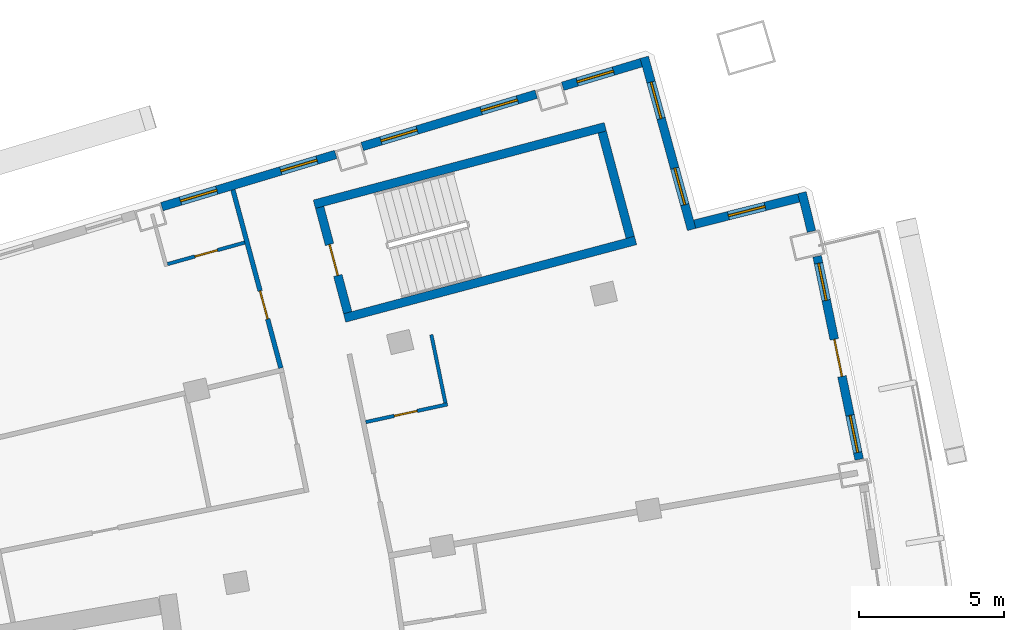
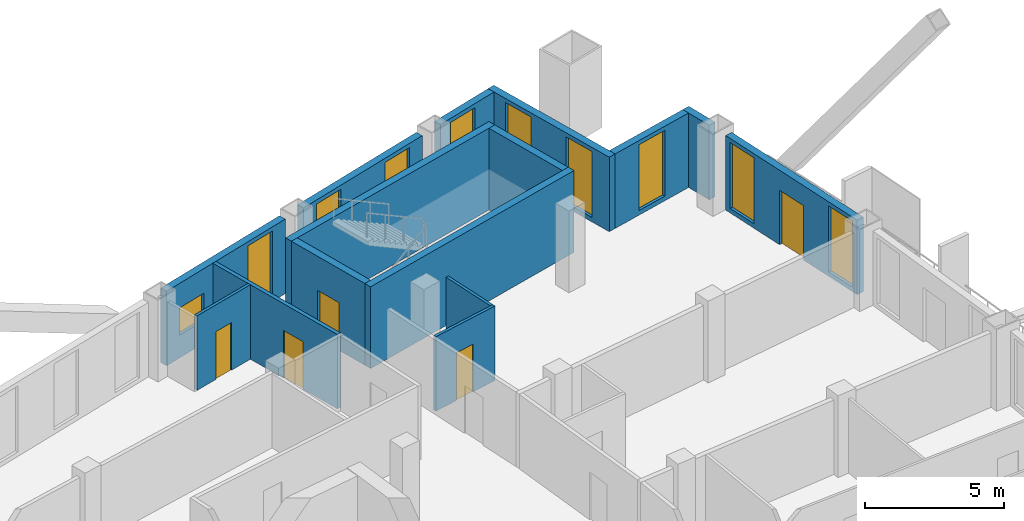
# One storey, part 15 of 19: 15 walls, 10 windows, 5 doors, 15 openings.
"""IFC4 building model written with IfcOpenShell, lengths in metres."""

from ifc_helpers import new_model, si_unit, direction, frame, frame_2d, origin, place, context, subcontext, project, spatial, rectangle, extrude, material, layer, layer_set, type_object, element, fill, save


model = new_model("IFC4")

# Units and contexts
model_context = context("Model", 3, precision=1e-05, world=origin(), true_north=direction((0.0, 1.0)))
body_context = subcontext(model_context, "Body", "Model", "MODEL_VIEW")
ifc_project = project(units=[si_unit("LENGTHUNIT", "METRE"), si_unit("AREAUNIT", "SQUARE_METRE"), si_unit("VOLUMEUNIT", "CUBIC_METRE"), si_unit("PLANEANGLEUNIT", "RADIAN"), si_unit("MASSUNIT", "GRAM", prefix="KILO")], contexts=[model_context])

# Site, building, storey
site_placement = place(None, origin())
site = spatial("IfcSite", under=ifc_project, at=site_placement, CompositionType="ELEMENT")
building_placement = place(site_placement, origin())
building = spatial("IfcBuilding", under=site, at=building_placement, Name="Alderwake Tower", CompositionType="ELEMENT")
storey_placement = place(building_placement, frame((0.0, 0.0, 221.60009765625)))
storey = spatial("IfcBuildingStorey", under=building, at=storey_placement, Name="L55", CompositionType="ELEMENT", Elevation=221.60009765625)

# Walls
ifc_material_1 = material(Name="Concrete C70/85", Category="concrete")
ifc_layer_1 = layer(ifc_material_1, 0.300048828125)
ifc_layer_set_1 = layer_set([ifc_layer_1], Name="Core wall stair enclosure 300 C70-85")
wall_type_1 = type_object("IfcWallType", Name="Core wall stair enclosure 300 C70-85", PredefinedType="SHEAR", material=ifc_layer_set_1)
for number, where, z_axis, x_axis, name in (
    (1, (36.71142578125, 94.182373046875, 0.0), (0.0, 0.0, 1.0), (0.966309214305, 0.257383958996, 0.0), "Core wall CW.082"),
    (2, (37.75390625, 90.268798828125, 0.0), (0.0, 0.0, 1.0), (0.966309214305, 0.257383958996, 0.0), "Core wall CW.084"),
):
    element("IfcWall", number, at=place(storey_placement, frame(where, z_axis=z_axis, x_axis=x_axis)), inside=storey, type_object=wall_type_1, Name=name, PredefinedType="SHEAR", context=body_context, shape_type="SweptSolid", body=[
        extrude(rectangle(XDim=10.360107421875, YDim=0.300048828125, at=frame_2d((5.18017578125, 0.0))), origin(), (0.0, 0.0, 1.0), 3.599853515625),
    ])

# Wall, opening, door
wall_1_placement = place(storey_placement, frame((37.8603515625, 90.452392578125, 0.0), z_axis=(0.0, 0.0, 1.0), x_axis=(-0.257411420208, 0.966301899381, 0.0)))
wall_1 = element("IfcWall", 3, at=wall_1_placement, inside=storey, type_object=wall_type_1, Name="Core wall CW.083", PredefinedType="SHEAR", context=body_context, shape_type="SweptSolid", body=[
    extrude(rectangle(XDim=3.750244140625, YDim=0.300048828125, at=frame_2d((1.875, 0.0))), origin(), (0.0, 0.0, 1.0), 3.599853515625),
])
opening_1_placement = place(wall_1_placement, frame((1.324951171875, 0.0, 0.0)))
opening_1 = element("IfcOpeningElement", 4, at=opening_1_placement, cuts=wall_1, Name="Opening C062", PredefinedType="OPENING", context=body_context, shape_type="SweptSolid", body=[
    extrude(rectangle(XDim=1.10009765625, YDim=2.10009765625, at=frame_2d((0.550048828125, 1.050048828125))), frame((0.0, 0.159912109375, 0.0), z_axis=(0.0, -1.0, 0.0), x_axis=(1.0, 0.0, 0.0)), (0.0, 0.0, 1.0), 0.320068359375),
])
ifc_material_2 = material(Name="Steel-framed fire door leaf", Category="steel")
door_type_1 = type_object("IfcDoorType", Name="Core stair door 1100 fire-rated", OperationType="SINGLE_SWING_LEFT", PredefinedType="DOOR", material=ifc_material_2)
door_1_placement = place(opening_1_placement, origin())
door_1 = element("IfcDoor", 5, at=door_1_placement, inside=storey, type_object=door_type_1, Name="Stair door", OperationType="SINGLE_SWING_LEFT", OverallHeight=2.10009765625, OverallWidth=1.10009765625, PredefinedType="DOOR", context=body_context, shape_type="SweptSolid", body=[
    extrude(rectangle(XDim=1.10009765625, YDim=2.10009765625, at=frame_2d((0.550048828125, 1.050048828125))), frame((0.0, 0.02490234375, 0.0), z_axis=(0.0, -1.0, 0.0), x_axis=(1.0, 0.0, 0.0)), (0.0, 0.0, 1.0), 0.050048828125),
])
fill(opening_1, door_1)

# Wall
wall_2_placement = place(storey_placement, frame((47.581298828125, 93.041748046875, 0.0), z_axis=(0.0, 0.0, 1.0), x_axis=(-0.257366821694, 0.966313778796, 0.0)))
element("IfcWall", 6, at=wall_2_placement, inside=storey, type_object=wall_type_1, Name="Core wall CW.081", PredefinedType="SHEAR", context=body_context, shape_type="SweptSolid", body=[
    extrude(rectangle(XDim=3.749755859375, YDim=0.300048828125, at=frame_2d((1.875, 0.0))), origin(), (0.0, 0.0, 1.0), 3.599853515625),
])

# Wall, opening, door
ifc_material_3 = material(Name="Gypsum board on metal studs, rated")
ifc_layer_2 = layer(ifc_material_3, 0.159912109375)
ifc_layer_set_2 = layer_set([ifc_layer_2], Name="Corridor wall 160")
wall_type_2 = type_object("IfcWallType", Name="Corridor wall 160", PredefinedType="PARTITIONING", material=ifc_layer_set_2)
wall_3_placement = place(storey_placement, frame((35.55908203125, 88.54736328125, 0.0), z_axis=(0.0, 0.0, 1.0), x_axis=(-0.259486497004, 0.965746735885, 0.0)))
wall_3 = element("IfcWall", 7, at=wall_3_placement, inside=storey, type_object=wall_type_2, Name="WL/L55/W17", PredefinedType="PARTITIONING", context=body_context, shape_type="SweptSolid", body=[
    extrude(rectangle(XDim=6.346923828125, YDim=0.159912109375, at=frame_2d((3.17333984375, 0.0))), origin(), (0.0, 0.0, 1.0), 3.27978515625),
])
opening_2_placement = place(wall_3_placement, frame((1.74609375, 0.0, 0.0)))
opening_2 = element("IfcOpeningElement", 8, at=opening_2_placement, cuts=wall_3, Name="Opening R16-U10.1", PredefinedType="OPENING", context=body_context, shape_type="SweptSolid", body=[
    extrude(rectangle(XDim=1.0, YDim=2.10009765625, at=frame_2d((0.5, 1.050048828125))), frame((0.0, 0.08984375, 0.0), z_axis=(0.0, -1.0, 0.0), x_axis=(1.0, 0.0, 0.0)), (0.0, 0.0, 1.0), 0.179931640625),
])
ifc_material_4 = material(Name="Solid timber leaf in steel frame", Category="steel")
door_type_2 = type_object("IfcDoorType", Name="Flat entrance door 1000 fire-rated", OperationType="SINGLE_SWING_LEFT", PredefinedType="DOOR", material=ifc_material_4)
door_2_placement = place(opening_2_placement, origin())
door_2 = element("IfcDoor", 9, at=door_2_placement, inside=storey, type_object=door_type_2, Name="DR/L55/U10.1", OperationType="SINGLE_SWING_LEFT", OverallHeight=2.10009765625, OverallWidth=1.0, PredefinedType="DOOR", context=body_context, shape_type="SweptSolid", body=[
    extrude(rectangle(XDim=1.0, YDim=2.10009765625, at=frame_2d((0.5, 1.050048828125))), frame((0.0, 0.02490234375, 0.0), z_axis=(0.0, -1.0, 0.0), x_axis=(1.0, 0.0, 0.0)), (0.0, 0.0, 1.0), 0.050048828125),
])
fill(opening_2, door_2)

# Wall, openings, door, windows
ifc_material_5 = material(Name="Precast concrete C50/60 spandrel panel", Category="concrete")
ifc_layer_3 = layer(ifc_material_5, 0.300048828125)
ifc_layer_set_3 = layer_set([ifc_layer_3], Name="External wall EW1 Precast concrete C50/60 spandrel")
wall_type_3 = type_object("IfcWallType", Name="External wall EW1 Precast concrete C50/60 spandrel", PredefinedType="SOLIDWALL", material=ifc_layer_set_3)
wall_4_placement = place(storey_placement, frame((55.456787109375, 85.404052734375, 0.0), z_axis=(0.0, 0.0, 1.0), x_axis=(-0.202739139566, 0.979232781972, 0.0)))
wall_4 = element("IfcWall", 10, at=wall_4_placement, inside=storey, type_object=wall_type_3, Name="External wall 19", PredefinedType="SOLIDWALL", context=body_context, shape_type="SweptSolid", body=[
    extrude(rectangle(XDim=7.1337890625, YDim=0.300048828125, at=frame_2d((3.56689453125, 0.0))), origin(), (0.0, 0.0, 1.0), 3.27978515625),
])
opening_3_placement = place(wall_4_placement, frame((0.24560546875, 0.0, 0.199951171875)))
opening_3 = element("IfcOpeningElement", 11, at=opening_3_placement, cuts=wall_4, Name="Opening W1", PredefinedType="OPENING", context=body_context, shape_type="SweptSolid", body=[
    extrude(rectangle(XDim=1.300048828125, YDim=2.89990234375, at=frame_2d((0.64990234375, 1.449951171875))), frame((0.0, 0.159912109375, 0.0), z_axis=(0.0, -1.0, 0.0), x_axis=(1.0, 0.0, 0.0)), (0.0, 0.0, 1.0), 0.320068359375),
])
opening_4_placement = place(wall_4_placement, frame((2.916748046875, 0.0, 0.0)))
opening_4 = element("IfcOpeningElement", 12, at=opening_4_placement, cuts=wall_4, Name="Opening D08", PredefinedType="OPENING", context=body_context, shape_type="SweptSolid", body=[
    extrude(rectangle(XDim=1.300048828125, YDim=2.39990234375, at=frame_2d((0.64990234375, 1.199951171875))), frame((0.0, 0.159912109375, 0.0), z_axis=(0.0, -1.0, 0.0), x_axis=(1.0, 0.0, 0.0)), (0.0, 0.0, 1.0), 0.320068359375),
])
opening_5_placement = place(wall_4_placement, frame((5.588134765625, 0.0, 0.199951171875)))
opening_5 = element("IfcOpeningElement", 13, at=opening_5_placement, cuts=wall_4, Name="Opening W1", PredefinedType="OPENING", context=body_context, shape_type="SweptSolid", body=[
    extrude(rectangle(XDim=1.300048828125, YDim=2.89990234375, at=frame_2d((0.64990234375, 1.449951171875))), frame((0.0, 0.159912109375, 0.0), z_axis=(0.0, -1.0, 0.0), x_axis=(1.0, 0.0, 0.0)), (0.0, 0.0, 1.0), 0.320068359375),
])
ifc_material_6 = material(Name="Bronze tinted glass in aluminium frame", Category="aluminium")
door_type_3 = type_object("IfcDoorType", Name="Balcony door BD sliding", OperationType="SLIDING_TO_LEFT", PredefinedType="DOOR", material=ifc_material_6)
door_3_placement = place(opening_4_placement, origin())
door_3 = element("IfcDoor", 14, at=door_3_placement, inside=storey, type_object=door_type_3, Name="Door D08", OperationType="SLIDING_TO_LEFT", OverallHeight=2.39990234375, OverallWidth=1.300048828125, PredefinedType="DOOR", context=body_context, shape_type="SweptSolid", body=[
    extrude(rectangle(XDim=1.300048828125, YDim=2.39990234375, at=frame_2d((0.64990234375, 1.199951171875))), frame((0.0, 0.02490234375, 0.0), z_axis=(0.0, -1.0, 0.0), x_axis=(1.0, 0.0, 0.0)), (0.0, 0.0, 1.0), 0.050048828125),
])
fill(opening_4, door_3)
ifc_material_7 = material(Name="Bronze tinted glass in aluminium frame", Category="aluminium")
window_type_1 = type_object("IfcWindowType", Name="Window W1 tall fixed and vent", PartitioningType="DOUBLE_PANEL_VERTICAL", PredefinedType="WINDOW", material=ifc_material_7)
window_1_placement = place(opening_3_placement, origin())
window_1 = element("IfcWindow", 15, at=window_1_placement, inside=storey, type_object=window_type_1, Name="Window W1 tall fixed and vent", OverallHeight=2.89990234375, OverallWidth=1.300048828125, PartitioningType="DOUBLE_PANEL_VERTICAL", PredefinedType="WINDOW", context=body_context, shape_type="SweptSolid", body=[
    extrude(rectangle(XDim=1.300048828125, YDim=2.89990234375, at=frame_2d((0.64990234375, 1.449951171875))), frame((0.0, 0.030029296875, 0.0), z_axis=(0.0, -1.0, 0.0), x_axis=(1.0, 0.0, 0.0)), (0.0, 0.0, 1.0), 0.06005859375),
])
fill(opening_3, window_1)
window_2_placement = place(opening_5_placement, origin())
window_2 = element("IfcWindow", 16, at=window_2_placement, inside=storey, type_object=window_type_1, Name="Window W1 tall fixed and vent", OverallHeight=2.89990234375, OverallWidth=1.300048828125, PartitioningType="DOUBLE_PANEL_VERTICAL", PredefinedType="WINDOW", context=body_context, shape_type="SweptSolid", body=[
    extrude(rectangle(XDim=1.300048828125, YDim=2.89990234375, at=frame_2d((0.64990234375, 1.449951171875))), frame((0.0, 0.030029296875, 0.0), z_axis=(0.0, -1.0, 0.0), x_axis=(1.0, 0.0, 0.0)), (0.0, 0.0, 1.0), 0.06005859375),
])
fill(opening_5, window_2)

# Wall
wall_5_placement = place(storey_placement, frame((53.817138671875, 93.24609375, 0.0), z_axis=(0.0, 0.0, 1.0), x_axis=(-0.238360405039, 0.971176769342, 0.0)))
element("IfcWall", 17, at=wall_5_placement, inside=storey, type_object=wall_type_3, Name="External wall 20", PredefinedType="SOLIDWALL", context=body_context, shape_type="SweptSolid", body=[
    extrude(rectangle(XDim=1.376708984375, YDim=0.300048828125, at=frame_2d((0.6884765625, 0.0))), origin(), (0.0, 0.0, 1.0), 3.27978515625),
])

# Wall, opening, window
ifc_material_8 = material(Name="Bronze metal cladding on lightweight framing")
ifc_layer_4 = layer(ifc_material_8, 0.300048828125)
ifc_layer_set_4 = layer_set([ifc_layer_4], Name="External wall EW2 bronze metal cladding")
wall_type_4 = type_object("IfcWallType", Name="External wall EW2 bronze metal cladding", PredefinedType="SOLIDWALL", material=ifc_layer_set_4)
wall_6_placement = place(storey_placement, frame((53.37939453125, 94.400390625, 0.0), z_axis=(0.0, 0.0, 1.0), x_axis=(-0.969426922046, -0.245380200529, 0.0)))
wall_6 = element("IfcWall", 18, at=wall_6_placement, inside=storey, type_object=wall_type_4, Name="External wall 21", PredefinedType="SOLIDWALL", context=body_context, shape_type="SweptSolid", body=[
    extrude(rectangle(XDim=3.6943359375, YDim=0.300048828125, at=frame_2d((1.84716796875, 0.0))), origin(), (0.0, 0.0, 1.0), 3.27978515625),
])
opening_6_placement = place(wall_6_placement, frame((1.197021484375, 0.0, 0.199951171875)))
opening_6 = element("IfcOpeningElement", 19, at=opening_6_placement, cuts=wall_6, Name="Opening W1", PredefinedType="OPENING", context=body_context, shape_type="SweptSolid", body=[
    extrude(rectangle(XDim=1.300048828125, YDim=2.89990234375, at=frame_2d((0.64990234375, 1.449951171875))), frame((0.0, 0.159912109375, 0.0), z_axis=(0.0, -1.0, 0.0), x_axis=(1.0, 0.0, 0.0)), (0.0, 0.0, 1.0), 0.320068359375),
])
window_3_placement = place(opening_6_placement, origin())
window_3 = element("IfcWindow", 20, at=window_3_placement, inside=storey, type_object=window_type_1, Name="Window W1 tall fixed and vent", OverallHeight=2.89990234375, OverallWidth=1.300048828125, PartitioningType="DOUBLE_PANEL_VERTICAL", PredefinedType="WINDOW", context=body_context, shape_type="SweptSolid", body=[
    extrude(rectangle(XDim=1.300048828125, YDim=2.89990234375, at=frame_2d((0.64990234375, 1.449951171875))), frame((0.0, 0.030029296875, 0.0), z_axis=(0.0, -1.0, 0.0), x_axis=(1.0, 0.0, 0.0)), (0.0, 0.0, 1.0), 0.06005859375),
])
fill(opening_6, window_3)

# Wall, openings, windows
wall_7_placement = place(storey_placement, frame((49.6923828125, 93.3125, 0.0), z_axis=(0.0, 0.0, 1.0), x_axis=(-0.265086321633, 0.96422468444, 0.0)))
wall_7 = element("IfcWall", 21, at=wall_7_placement, inside=storey, type_object=wall_type_4, Name="External wall 22", PredefinedType="SOLIDWALL", context=body_context, shape_type="SweptSolid", body=[
    extrude(rectangle(XDim=6.146728515625, YDim=0.300048828125, at=frame_2d((3.0732421875, 0.0))), origin(), (0.0, 0.0, 1.0), 3.27978515625),
])
opening_7_placement = place(wall_7_placement, frame((0.88671875, 0.0, 0.199951171875)))
opening_7 = element("IfcOpeningElement", 22, at=opening_7_placement, cuts=wall_7, Name="Opening W1", PredefinedType="OPENING", context=body_context, shape_type="SweptSolid", body=[
    extrude(rectangle(XDim=1.300048828125, YDim=2.89990234375, at=frame_2d((0.64990234375, 1.449951171875))), frame((0.0, 0.159912109375, 0.0), z_axis=(0.0, -1.0, 0.0), x_axis=(1.0, 0.0, 0.0)), (0.0, 0.0, 1.0), 0.320068359375),
])
opening_8_placement = place(wall_7_placement, frame((3.9599609375, 0.0, 0.199951171875)))
opening_8 = element("IfcOpeningElement", 23, at=opening_8_placement, cuts=wall_7, Name="Opening W1", PredefinedType="OPENING", context=body_context, shape_type="SweptSolid", body=[
    extrude(rectangle(XDim=1.300048828125, YDim=2.89990234375, at=frame_2d((0.64990234375, 1.449951171875))), frame((0.0, 0.159912109375, 0.0), z_axis=(0.0, -1.0, 0.0), x_axis=(1.0, 0.0, 0.0)), (0.0, 0.0, 1.0), 0.320068359375),
])
window_4_placement = place(opening_7_placement, origin())
window_4 = element("IfcWindow", 24, at=window_4_placement, inside=storey, type_object=window_type_1, Name="Window W1 tall fixed and vent", OverallHeight=2.89990234375, OverallWidth=1.300048828125, PartitioningType="DOUBLE_PANEL_VERTICAL", PredefinedType="WINDOW", context=body_context, shape_type="SweptSolid", body=[
    extrude(rectangle(XDim=1.300048828125, YDim=2.89990234375, at=frame_2d((0.64990234375, 1.449951171875))), frame((0.0, 0.030029296875, 0.0), z_axis=(0.0, -1.0, 0.0), x_axis=(1.0, 0.0, 0.0)), (0.0, 0.0, 1.0), 0.06005859375),
])
fill(opening_7, window_4)
window_5_placement = place(opening_8_placement, origin())
window_5 = element("IfcWindow", 25, at=window_5_placement, inside=storey, type_object=window_type_1, Name="Window W1 tall fixed and vent", OverallHeight=2.89990234375, OverallWidth=1.300048828125, PartitioningType="DOUBLE_PANEL_VERTICAL", PredefinedType="WINDOW", context=body_context, shape_type="SweptSolid", body=[
    extrude(rectangle(XDim=1.300048828125, YDim=2.89990234375, at=frame_2d((0.64990234375, 1.449951171875))), frame((0.0, 0.030029296875, 0.0), z_axis=(0.0, -1.0, 0.0), x_axis=(1.0, 0.0, 0.0)), (0.0, 0.0, 1.0), 0.06005859375),
])
fill(opening_8, window_5)

# Wall, opening, window
wall_8_placement = place(storey_placement, frame((47.959228515625, 99.051513671875, 0.0), z_axis=(0.0, 0.0, 1.0), x_axis=(-0.957764339178, -0.287554291569, 0.0)))
wall_8 = element("IfcWall", 26, at=wall_8_placement, inside=storey, type_object=wall_type_4, Name="External wall 23", PredefinedType="SOLIDWALL", context=body_context, shape_type="SweptSolid", body=[
    extrude(rectangle(XDim=2.8212890625, YDim=0.300048828125, at=frame_2d((1.41064453125, 0.0))), origin(), (0.0, 0.0, 1.0), 3.27978515625),
])
opening_9_placement = place(wall_8_placement, frame((0.9990234375, 0.0, 0.199951171875)))
opening_9 = element("IfcOpeningElement", 27, at=opening_9_placement, cuts=wall_8, Name="Opening W1", PredefinedType="OPENING", context=body_context, shape_type="SweptSolid", body=[
    extrude(rectangle(XDim=1.300048828125, YDim=2.89990234375, at=frame_2d((0.64990234375, 1.449951171875))), frame((0.0, 0.159912109375, 0.0), z_axis=(0.0, -1.0, 0.0), x_axis=(1.0, 0.0, 0.0)), (0.0, 0.0, 1.0), 0.320068359375),
])
window_6_placement = place(opening_9_placement, origin())
window_6 = element("IfcWindow", 28, at=window_6_placement, inside=storey, type_object=window_type_1, Name="Window W1 tall fixed and vent", OverallHeight=2.89990234375, OverallWidth=1.300048828125, PartitioningType="DOUBLE_PANEL_VERTICAL", PredefinedType="WINDOW", context=body_context, shape_type="SweptSolid", body=[
    extrude(rectangle(XDim=1.300048828125, YDim=2.89990234375, at=frame_2d((0.64990234375, 1.449951171875))), frame((0.0, 0.030029296875, 0.0), z_axis=(0.0, -1.0, 0.0), x_axis=(1.0, 0.0, 0.0)), (0.0, 0.0, 1.0), 0.06005859375),
])
fill(opening_9, window_6)

# Wall, openings, windows
wall_9_placement = place(storey_placement, frame((44.34375, 97.966064453125, 0.0), z_axis=(0.0, 0.0, 1.0), x_axis=(-0.95776710022, -0.287545095136, 0.0)))
wall_9 = element("IfcWall", 29, at=wall_9_placement, inside=storey, type_object=wall_type_4, Name="External wall 24", PredefinedType="SOLIDWALL", context=body_context, shape_type="SweptSolid", body=[
    extrude(rectangle(XDim=6.24658203125, YDim=0.300048828125, at=frame_2d((3.123291015625, 0.0))), origin(), (0.0, 0.0, 1.0), 3.27978515625),
])
opening_10_placement = place(wall_9_placement, frame((0.67333984375, 0.0, 0.199951171875)))
opening_10 = element("IfcOpeningElement", 30, at=opening_10_placement, cuts=wall_9, Name="Opening W1", PredefinedType="OPENING", context=body_context, shape_type="SweptSolid", body=[
    extrude(rectangle(XDim=1.300048828125, YDim=2.89990234375, at=frame_2d((0.64990234375, 1.449951171875))), frame((0.0, 0.159912109375, 0.0), z_axis=(0.0, -1.0, 0.0), x_axis=(1.0, 0.0, 0.0)), (0.0, 0.0, 1.0), 0.320068359375),
])
opening_11_placement = place(wall_9_placement, frame((4.273193359375, 0.0, 0.199951171875)))
opening_11 = element("IfcOpeningElement", 31, at=opening_11_placement, cuts=wall_9, Name="Opening W1", PredefinedType="OPENING", context=body_context, shape_type="SweptSolid", body=[
    extrude(rectangle(XDim=1.300048828125, YDim=2.89990234375, at=frame_2d((0.64990234375, 1.449951171875))), frame((0.0, 0.159912109375, 0.0), z_axis=(0.0, -1.0, 0.0), x_axis=(1.0, 0.0, 0.0)), (0.0, 0.0, 1.0), 0.320068359375),
])
window_7_placement = place(opening_10_placement, origin())
window_7 = element("IfcWindow", 32, at=window_7_placement, inside=storey, type_object=window_type_1, Name="Window W1 tall fixed and vent", OverallHeight=2.89990234375, OverallWidth=1.300048828125, PartitioningType="DOUBLE_PANEL_VERTICAL", PredefinedType="WINDOW", context=body_context, shape_type="SweptSolid", body=[
    extrude(rectangle(XDim=1.300048828125, YDim=2.89990234375, at=frame_2d((0.64990234375, 1.449951171875))), frame((0.0, 0.030029296875, 0.0), z_axis=(0.0, -1.0, 0.0), x_axis=(1.0, 0.0, 0.0)), (0.0, 0.0, 1.0), 0.06005859375),
])
fill(opening_10, window_7)
window_8_placement = place(opening_11_placement, origin())
window_8 = element("IfcWindow", 33, at=window_8_placement, inside=storey, type_object=window_type_1, Name="Window W1 tall fixed and vent", OverallHeight=2.89990234375, OverallWidth=1.300048828125, PartitioningType="DOUBLE_PANEL_VERTICAL", PredefinedType="WINDOW", context=body_context, shape_type="SweptSolid", body=[
    extrude(rectangle(XDim=1.300048828125, YDim=2.89990234375, at=frame_2d((0.64990234375, 1.449951171875))), frame((0.0, 0.030029296875, 0.0), z_axis=(0.0, -1.0, 0.0), x_axis=(1.0, 0.0, 0.0)), (0.0, 0.0, 1.0), 0.06005859375),
])
fill(opening_11, window_8)

wall_10_placement = place(storey_placement, frame((37.44775390625, 95.895751953125, 0.0), z_axis=(0.0, 0.0, 1.0), x_axis=(-0.95776710022, -0.287545095136, 0.0)))
wall_10 = element("IfcWall", 34, at=wall_10_placement, inside=storey, type_object=wall_type_4, Name="External wall 25", PredefinedType="SOLIDWALL", context=body_context, shape_type="SweptSolid", body=[
    extrude(rectangle(XDim=6.24658203125, YDim=0.300048828125, at=frame_2d((3.123291015625, 0.0))), origin(), (0.0, 0.0, 1.0), 3.27978515625),
])
opening_12_placement = place(wall_10_placement, frame((0.673095703125, 0.0, 0.199951171875)))
opening_12 = element("IfcOpeningElement", 35, at=opening_12_placement, cuts=wall_10, Name="Opening W1", PredefinedType="OPENING", context=body_context, shape_type="SweptSolid", body=[
    extrude(rectangle(XDim=1.300048828125, YDim=2.89990234375, at=frame_2d((0.64990234375, 1.449951171875))), frame((0.0, 0.159912109375, 0.0), z_axis=(0.0, -1.0, 0.0), x_axis=(1.0, 0.0, 0.0)), (0.0, 0.0, 1.0), 0.320068359375),
])
opening_13_placement = place(wall_10_placement, frame((4.273193359375, 0.0, 1.0)))
opening_13 = element("IfcOpeningElement", 36, at=opening_13_placement, cuts=wall_10, Name="Opening W2", PredefinedType="OPENING", context=body_context, shape_type="SweptSolid", body=[
    extrude(rectangle(XDim=1.300048828125, YDim=1.199951171875, at=frame_2d((0.64990234375, 0.60009765625))), frame((0.0, 0.159912109375, 0.0), z_axis=(0.0, -1.0, 0.0), x_axis=(1.0, 0.0, 0.0)), (0.0, 0.0, 1.0), 0.320068359375),
])
window_9_placement = place(opening_12_placement, origin())
window_9 = element("IfcWindow", 37, at=window_9_placement, inside=storey, type_object=window_type_1, Name="Window W1 tall fixed and vent", OverallHeight=2.89990234375, OverallWidth=1.300048828125, PartitioningType="DOUBLE_PANEL_VERTICAL", PredefinedType="WINDOW", context=body_context, shape_type="SweptSolid", body=[
    extrude(rectangle(XDim=1.300048828125, YDim=2.89990234375, at=frame_2d((0.64990234375, 1.449951171875))), frame((0.0, 0.030029296875, 0.0), z_axis=(0.0, -1.0, 0.0), x_axis=(1.0, 0.0, 0.0)), (0.0, 0.0, 1.0), 0.06005859375),
])
fill(opening_12, window_9)
ifc_material_9 = material(Name="Bronze tinted glass in aluminium frame", Category="aluminium")
window_type_2 = type_object("IfcWindowType", Name="Window W2 kitchen and bath", PartitioningType="SINGLE_PANEL", PredefinedType="WINDOW", material=ifc_material_9)
window_10_placement = place(opening_13_placement, origin())
window_10 = element("IfcWindow", 38, at=window_10_placement, inside=storey, type_object=window_type_2, Name="Window W2 kitchen and bath", OverallHeight=1.199951171875, OverallWidth=1.300048828125, PartitioningType="SINGLE_PANEL", PredefinedType="WINDOW", context=body_context, shape_type="SweptSolid", body=[
    extrude(rectangle(XDim=1.300048828125, YDim=1.199951171875, at=frame_2d((0.64990234375, 0.60009765625))), frame((0.0, 0.030029296875, 0.0), z_axis=(0.0, -1.0, 0.0), x_axis=(1.0, 0.0, 0.0)), (0.0, 0.0, 1.0), 0.06005859375),
])
fill(opening_13, window_10)

# Wall, opening, door
ifc_material_10 = material(Name="Moisture resistant gypsum board on metal studs")
ifc_layer_5 = layer(ifc_material_10, 0.1201171875)
ifc_layer_set_5 = layer_set([ifc_layer_5], Name="Wet room partition 120")
wall_type_5 = type_object("IfcWallType", Name="Wet room partition 120", PredefinedType="PARTITIONING", material=ifc_layer_set_5)
wall_11_placement = place(storey_placement, frame((31.659912109375, 92.1220703125, 0.0), z_axis=(0.0, 0.0, 1.0), x_axis=(0.963132887742, 0.269026096411, 0.0)))
wall_11 = element("IfcWall", 39, at=wall_11_placement, inside=storey, type_object=wall_type_5, Name="WL/L55/W33", PredefinedType="PARTITIONING", context=body_context, shape_type="SweptSolid", body=[
    extrude(rectangle(XDim=2.759765625, YDim=0.1201171875, at=frame_2d((1.3798828125, 0.0))), origin(), (0.0, 0.0, 1.0), 3.27978515625),
])
opening_14_placement = place(wall_11_placement, frame((0.97998046875, 0.0, 0.0)))
opening_14 = element("IfcOpeningElement", 40, at=opening_14_placement, cuts=wall_11, Name="Opening R16-U10.2", PredefinedType="OPENING", context=body_context, shape_type="SweptSolid", body=[
    extrude(rectangle(XDim=0.800048828125, YDim=2.10009765625, at=frame_2d((0.39990234375, 1.050048828125))), frame((0.0, 0.070068359375, 0.0), z_axis=(0.0, -1.0, 0.0), x_axis=(1.0, 0.0, 0.0)), (0.0, 0.0, 1.0), 0.14013671875),
])
ifc_material_11 = material(Name="Painted timber leaf", Category="wood")
door_type_4 = type_object("IfcDoorType", Name="Bathroom door 800", OperationType="SINGLE_SWING_LEFT", PredefinedType="DOOR", material=ifc_material_11)
door_4_placement = place(opening_14_placement, origin())
door_4 = element("IfcDoor", 41, at=door_4_placement, inside=storey, type_object=door_type_4, Name="DR/L55/U10.2", OperationType="SINGLE_SWING_LEFT", OverallHeight=2.10009765625, OverallWidth=0.800048828125, PredefinedType="DOOR", context=body_context, shape_type="SweptSolid", body=[
    extrude(rectangle(XDim=0.800048828125, YDim=2.10009765625, at=frame_2d((0.39990234375, 1.050048828125))), frame((0.0, 0.02490234375, 0.0), z_axis=(0.0, -1.0, 0.0), x_axis=(1.0, 0.0, 0.0)), (0.0, 0.0, 1.0), 0.050048828125),
])
fill(opening_14, door_4)

wall_12_placement = place(storey_placement, frame((38.481201171875, 86.68701171875, 0.0), z_axis=(0.0, 0.0, 1.0), x_axis=(0.97723527817, 0.212158457526, 0.0)))
wall_12 = element("IfcWall", 42, at=wall_12_placement, inside=storey, type_object=wall_type_5, Name="WL/L55/W35", PredefinedType="PARTITIONING", context=body_context, shape_type="SweptSolid", body=[
    extrude(rectangle(XDim=2.8779296875, YDim=0.1201171875, at=frame_2d((1.43896484375, 0.0))), origin(), (0.0, 0.0, 1.0), 3.27978515625),
])
opening_15_placement = place(wall_12_placement, frame((1.009521484375, 0.0, 0.0)))
opening_15 = element("IfcOpeningElement", 43, at=opening_15_placement, cuts=wall_12, Name="Opening R16-U08.2", PredefinedType="OPENING", context=body_context, shape_type="SweptSolid", body=[
    extrude(rectangle(XDim=0.800048828125, YDim=2.10009765625, at=frame_2d((0.39990234375, 1.050048828125))), frame((0.0, 0.070068359375, 0.0), z_axis=(0.0, -1.0, 0.0), x_axis=(1.0, 0.0, 0.0)), (0.0, 0.0, 1.0), 0.14013671875),
])
door_5_placement = place(opening_15_placement, origin())
door_5 = element("IfcDoor", 44, at=door_5_placement, inside=storey, type_object=door_type_4, Name="DR/L55/U08.2", OperationType="SINGLE_SWING_LEFT", OverallHeight=2.10009765625, OverallWidth=0.800048828125, PredefinedType="DOOR", context=body_context, shape_type="SweptSolid", body=[
    extrude(rectangle(XDim=0.800048828125, YDim=2.10009765625, at=frame_2d((0.39990234375, 1.050048828125))), frame((0.0, 0.02490234375, 0.0), z_axis=(0.0, -1.0, 0.0), x_axis=(1.0, 0.0, 0.0)), (0.0, 0.0, 1.0), 0.050048828125),
])
fill(opening_15, door_5)

# Wall
wall_13_placement = place(storey_placement, frame((41.222900390625, 87.34375, 0.0), z_axis=(0.0, 0.0, 1.0), x_axis=(-0.202430686623, 0.979296593026, 0.0)))
element("IfcWall", 45, at=wall_13_placement, inside=storey, type_object=wall_type_5, Name="WL/L55/W37", PredefinedType="PARTITIONING", context=body_context, shape_type="SweptSolid", body=[
    extrude(rectangle(XDim=2.400146484375, YDim=0.1201171875, at=frame_2d((1.2001953125, 0.0))), origin(), (0.0, 0.0, 1.0), 3.27978515625),
])

save(model, "model.ifc")
